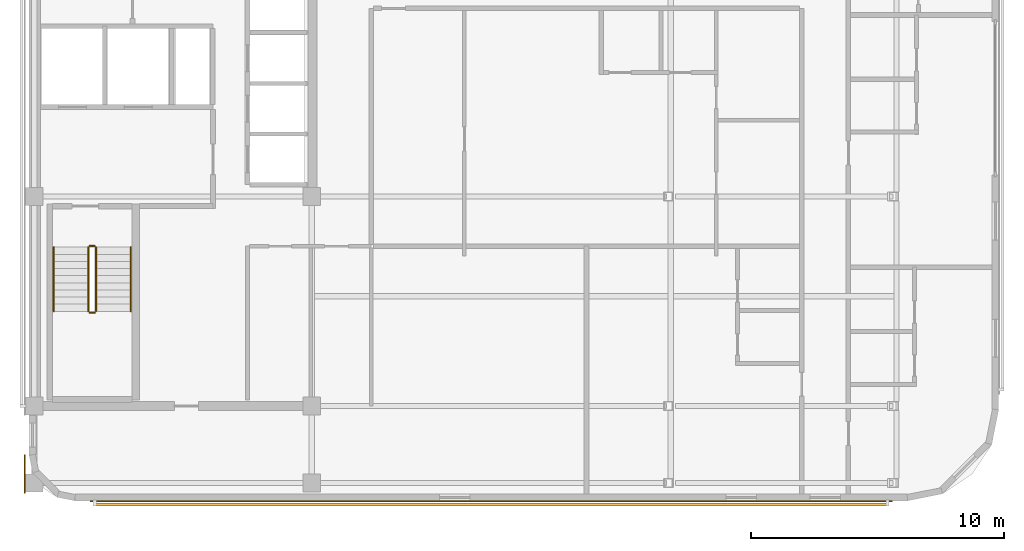
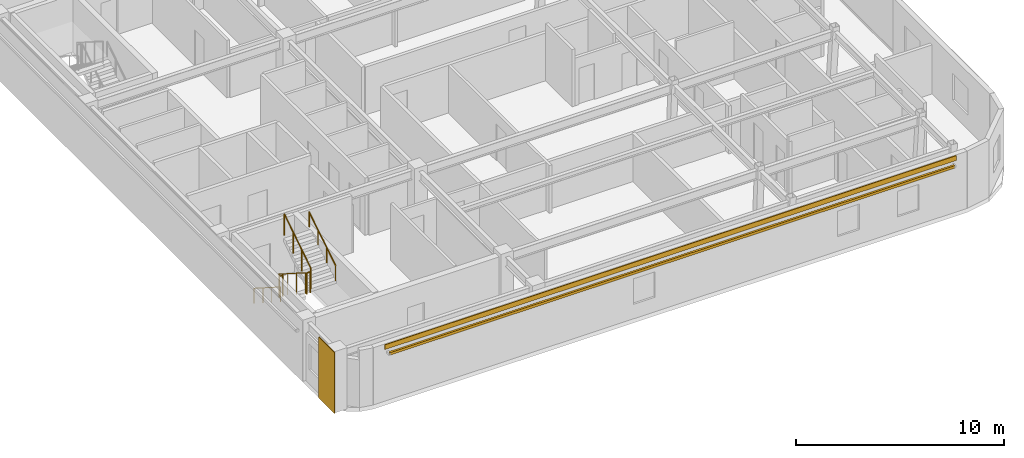
# One storey, part 8 of 10: 6 railings, 2 coverings, 1 shading device.
"""IFC4 building model written with IfcOpenShell, lengths in metres."""

from ifc_helpers import new_model, si_unit, direction, frame, origin, origin_2d, place, context, subcontext, project, spatial, rectangle, circle, extrude, material, layer, layer_set, material_profile, profile_set, type_object, element, save


model = new_model("IFC4")

# Units and contexts
model_context = context("Model", 3, precision=1e-05, world=origin(), true_north=direction((0.0, 1.0)))
body_context = subcontext(model_context, "Body", "Model", "MODEL_VIEW")
ifc_project = project(units=[si_unit("LENGTHUNIT", "METRE"), si_unit("AREAUNIT", "SQUARE_METRE"), si_unit("VOLUMEUNIT", "CUBIC_METRE"), si_unit("PLANEANGLEUNIT", "RADIAN"), si_unit("MASSUNIT", "GRAM", prefix="KILO")], contexts=[model_context])

# Site, building, storey
site_placement = place(None, origin())
site = spatial("IfcSite", under=ifc_project, at=site_placement, CompositionType="ELEMENT")
building_placement = place(site_placement, origin())
building = spatial("IfcBuilding", under=site, at=building_placement, Name="Ochreholt Gables", CompositionType="ELEMENT")
storey_placement = place(building_placement, frame((0.0, 0.0, 267.60009765625)))
storey = spatial("IfcBuildingStorey", under=building, at=storey_placement, Name="L70", CompositionType="ELEMENT", Elevation=267.60009765625)

# Coverings
ifc_material_1 = material(Name="Glazed Ochre Terracotta Rainscreen Cladding", Category="masonry")
ifc_layer = layer(ifc_material_1, 0.044921875, Name="Glazed Ochre Terracotta Rainscreen Cladding")
ifc_layer_set = layer_set([ifc_layer], Name="Glazed Ochre Terracotta Rainscreen Cladding")
covering_type = type_object("IfcCoveringType", Name="COV-CLAD-TC", PredefinedType="CLADDING", material=ifc_layer_set)
covering_1_placement = place(storey_placement, frame((42.300048828125, 5.47998046875, 3.06005859375), z_axis=(0.0, 0.0, 1.0), x_axis=(1.0, 0.0, 0.0)))
element("IfcCovering", 1, at=covering_1_placement, inside=storey, type_object=covering_type, Name="L70 Terracotta Spandrel Cladding South", PredefinedType="CLADDING", context=body_context, shape_type="SweptSolid", body=[
    extrude(rectangle(XDim=31.760009765625, YDim=0.044921875, at=origin_2d()), origin(), (0.0, 0.0, 1.0), 0.280029296875),
])
covering_2_placement = place(storey_placement, frame((23.827880859375, 6.56005859375, 0.009765625), z_axis=(0.0, 0.0, 1.0), x_axis=(0.0, 1.0, 0.0)))
element("IfcCovering", 2, at=covering_2_placement, inside=storey, type_object=covering_type, Name="L70 South-West Pier Terracotta Cladding", PredefinedType="CLADDING", context=body_context, shape_type="SweptSolid", body=[
    extrude(rectangle(XDim=1.52001953125, YDim=0.044921875, at=origin_2d()), origin(), (0.0, 0.0, 1.0), 3.580078125),
])

# Railings
ifc_material_2 = material(Name="Painted Steel Stair Guardrail", Category="steel")
railing_type_1 = type_object("IfcRailingType", Name="RL-ST-GUARD", PredefinedType="GUARDRAIL", material=ifc_material_2)
railing_1_placement = place(storey_placement, frame((26.35009765625, 15.5400390625, 0.179931640625)))
element("IfcRailing", 3, at=railing_1_placement, inside=storey, type_object=railing_type_1, Name="L70 ST-1 stair guard 1", PredefinedType="GUARDRAIL", context=body_context, shape_type="SweptSolid", body=[
    extrude(circle(Radius=0.02392578125, at=origin_2d()), frame((0.0, 0.0, 1.22607421875), z_axis=(0.0, -0.842949592929, 0.537992549931), x_axis=(1.0, 0.0, 0.0)), (0.0, 0.0, 1.0), 3.010986328125),
    extrude(circle(Radius=0.02099609375, at=origin_2d()), origin(), (0.0, 0.0, 1.0), 1.201904296875),
    extrude(circle(Radius=0.02099609375, at=origin_2d()), frame((0.0, -0.845947265625, 0.5400390625)), (0.0, 0.0, 1.0), 1.201904296875),
    extrude(circle(Radius=0.02099609375, at=origin_2d()), frame((0.0, -1.692138671875, 1.079833984375)), (0.0, 0.0, 1.0), 1.201904296875),
    extrude(circle(Radius=0.02099609375, at=origin_2d()), frame((0.0, -2.5380859375, 1.619873046875)), (0.0, 0.0, 1.0), 1.201904296875),
])
railing_2_placement = place(storey_placement, frame((26.39990234375, 12.951904296875, 1.7998046875)))
element("IfcRailing", 4, at=railing_2_placement, inside=storey, type_object=railing_type_1, Name="L70 ST-1 stair guard 2", PredefinedType="GUARDRAIL", context=body_context, shape_type="SweptSolid", body=[
    extrude(circle(Radius=0.02392578125, at=origin_2d()), frame((0.0, 0.0, 1.22607421875), z_axis=(1.0, 0.0, 0.0), x_axis=(0.0, 1.0, 0.0)), (0.0, 0.0, 1.0), 0.2001953125),
    extrude(circle(Radius=0.02099609375, at=origin_2d()), origin(), (0.0, 0.0, 1.0), 1.201904296875),
    extrude(circle(Radius=0.02099609375, at=origin_2d()), frame((0.2001953125, 0.0, 0.0)), (0.0, 0.0, 1.0), 1.201904296875),
])
railing_3_placement = place(storey_placement, frame((26.64990234375, 13.001953125, 1.97998046875)))
element("IfcRailing", 5, at=railing_3_placement, inside=storey, type_object=railing_type_1, Name="L70 ST-1 stair guard 3", PredefinedType="GUARDRAIL", context=body_context, shape_type="SweptSolid", body=[
    extrude(circle(Radius=0.02392578125, at=origin_2d()), frame((0.0, 0.0, 1.22607421875), z_axis=(0.0, 0.842949592929, 0.537992549931), x_axis=(-1.0, 0.0, 0.0)), (0.0, 0.0, 1.0), 3.010986328125),
    extrude(circle(Radius=0.02099609375, at=origin_2d()), origin(), (0.0, 0.0, 1.0), 1.201904296875),
    extrude(circle(Radius=0.02099609375, at=origin_2d()), frame((0.0, 0.845947265625, 0.5400390625)), (0.0, 0.0, 1.0), 1.201904296875),
    extrude(circle(Radius=0.02099609375, at=origin_2d()), frame((0.0, 1.692138671875, 1.079833984375)), (0.0, 0.0, 1.0), 1.201904296875),
    extrude(circle(Radius=0.02099609375, at=origin_2d()), frame((0.0, 2.5380859375, 1.619873046875)), (0.0, 0.0, 1.0), 1.201904296875),
])
railing_4_placement = place(storey_placement, frame((26.39990234375, 15.590087890625, 0.0)))
element("IfcRailing", 6, at=railing_4_placement, inside=storey, type_object=railing_type_1, Name="L70 ST-1 stair guard 4", PredefinedType="GUARDRAIL", context=body_context, shape_type="SweptSolid", body=[
    extrude(circle(Radius=0.02392578125, at=origin_2d()), frame((0.0, 0.0, 1.22607421875), z_axis=(1.0, 0.0, 0.0), x_axis=(0.0, 1.0, 0.0)), (0.0, 0.0, 1.0), 0.2001953125),
    extrude(circle(Radius=0.02099609375, at=origin_2d()), origin(), (0.0, 0.0, 1.0), 1.201904296875),
    extrude(circle(Radius=0.02099609375, at=origin_2d()), frame((0.2001953125, 0.0, 0.0)), (0.0, 0.0, 1.0), 1.201904296875),
])
ifc_material_3 = material(Name="Brushed Stainless Steel Wall Handrail", Category="steel")
railing_type_2 = type_object("IfcRailingType", Name="RL-ST-HAND", PredefinedType="HANDRAIL", material=ifc_material_3)
railing_5_placement = place(storey_placement, frame((24.969970703125, 15.5400390625, 0.179931640625)))
element("IfcRailing", 7, at=railing_5_placement, inside=storey, type_object=railing_type_2, Name="L70 ST-1 stair handrail 1", PredefinedType="HANDRAIL", context=body_context, shape_type="SweptSolid", body=[
    extrude(circle(Radius=0.02392578125, at=origin_2d()), frame((0.0, 0.0, 0.8759765625), z_axis=(0.0, -0.842949592929, 0.537992549931), x_axis=(1.0, 0.0, 0.0)), (0.0, 0.0, 1.0), 3.010986328125),
    extrude(circle(Radius=0.02099609375, at=origin_2d()), origin(), (0.0, 0.0, 1.0), 0.851806640625),
    extrude(circle(Radius=0.02099609375, at=origin_2d()), frame((0.0, -0.845947265625, 0.5400390625)), (0.0, 0.0, 1.0), 0.851806640625),
    extrude(circle(Radius=0.02099609375, at=origin_2d()), frame((0.0, -1.692138671875, 1.079833984375)), (0.0, 0.0, 1.0), 0.851806640625),
    extrude(circle(Radius=0.02099609375, at=origin_2d()), frame((0.0, -2.5380859375, 1.619873046875)), (0.0, 0.0, 1.0), 0.851806640625),
])
railing_6_placement = place(storey_placement, frame((28.030029296875, 13.001953125, 1.97998046875)))
element("IfcRailing", 8, at=railing_6_placement, inside=storey, type_object=railing_type_2, Name="L70 ST-1 stair handrail 2", PredefinedType="HANDRAIL", context=body_context, shape_type="SweptSolid", body=[
    extrude(circle(Radius=0.02392578125, at=origin_2d()), frame((0.0, 0.0, 0.8759765625), z_axis=(0.0, 0.842949592929, 0.537992549931), x_axis=(-1.0, 0.0, 0.0)), (0.0, 0.0, 1.0), 3.010986328125),
    extrude(circle(Radius=0.02099609375, at=origin_2d()), origin(), (0.0, 0.0, 1.0), 0.851806640625),
    extrude(circle(Radius=0.02099609375, at=origin_2d()), frame((0.0, 0.845947265625, 0.5400390625)), (0.0, 0.0, 1.0), 0.851806640625),
    extrude(circle(Radius=0.02099609375, at=origin_2d()), frame((0.0, 1.692138671875, 1.079833984375)), (0.0, 0.0, 1.0), 0.851806640625),
    extrude(circle(Radius=0.02099609375, at=origin_2d()), frame((0.0, 2.5380859375, 1.619873046875)), (0.0, 0.0, 1.0), 0.851806640625),
])

# Shading device
ifc_material_4 = material(Name="Warm Ochre Glazed Terracotta Baguette", Category="masonry")
ifc_material_profile = material_profile(ifc_material_4, rectangle(XDim=0.110107421875, YDim=0.14990234375, at=origin_2d()), Name="TCBAG110X150")
ifc_profile_set = profile_set([ifc_material_profile], Name="Warm Ochre Glazed Terracotta Baguette")
shading_device_type = type_object("IfcShadingDeviceType", Name="SHD-BAGUETTE", PredefinedType="USERDEFINED", material=ifc_profile_set)
shading_device_placement = place(storey_placement, frame((26.60009765625, 5.35009765625, 2.83984375), z_axis=(1.0, 0.0, 0.0), x_axis=(0.0, 1.0, 0.0)))
element("IfcShadingDevice", 9, at=shading_device_placement, inside=storey, type_object=shading_device_type, Name="L70 Terracotta Baguette Screen S-1", ObjectType="BAGUETTE", PredefinedType="USERDEFINED", context=body_context, shape_type="SweptSolid", body=[
    extrude(rectangle(XDim=0.110107421875, YDim=0.14990234375, at=origin_2d()), origin(), (0.0, 0.0, 1.0), 31.39990234375),
])

save(model, "model.ifc")
